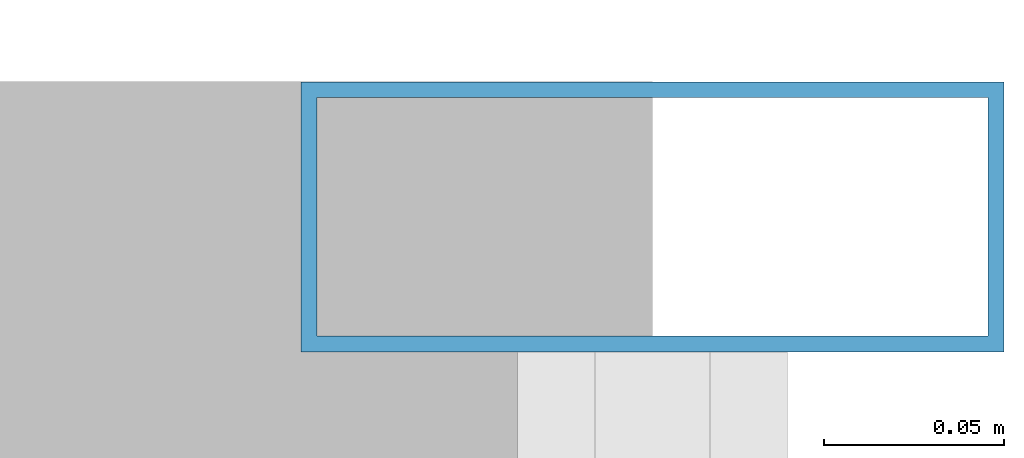
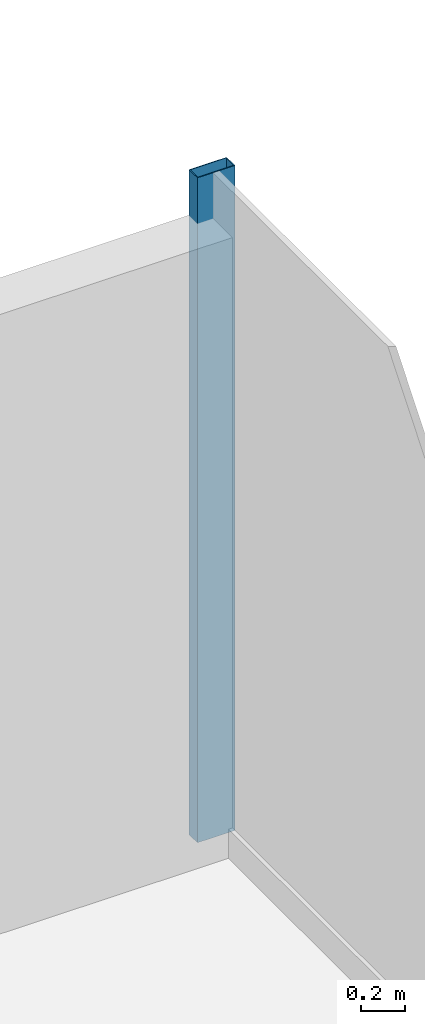
# One storey, part 18 of 25: 1 member, 1 element without a shape of its own.
"""IFC4 building model written with IfcOpenShell, lengths in metres."""

from ifc_helpers import new_model, si_unit, derived_unit, direction, frame, origin, origin_2d, place, context, subcontext, project, spatial, hollow_rectangle, extrude, source, transform, mapped, material, material_profile, profile_set, type_object, element, aggregate, save


model = new_model("IFC4")

# Units and contexts
model_context = context("Model", 3, precision=1e-05, world=origin(), true_north=direction((0.0, 1.0)))
body_context = subcontext(model_context, "Body", "Model", "MODEL_VIEW")
ifc_project = project(units=[si_unit("LENGTHUNIT", "METRE"), si_unit("AREAUNIT", "SQUARE_METRE"), si_unit("VOLUMEUNIT", "CUBIC_METRE"), si_unit("PLANEANGLEUNIT", "RADIAN"), si_unit("MASSUNIT", "GRAM", prefix="KILO"), derived_unit("THERMALTRANSMITTANCEUNIT", [(si_unit("POWERUNIT", "WATT"), 1), (si_unit("LENGTHUNIT", "METRE"), -2), (si_unit("THERMODYNAMICTEMPERATUREUNIT", "KELVIN"), -1)])], contexts=[model_context])

# Site, building, storey
site_placement = place(None, origin())
site = spatial("IfcSite", under=ifc_project, at=site_placement, CompositionType="ELEMENT")
building_placement = place(site_placement, origin())
building = spatial("IfcBuilding", under=site, at=building_placement, Name="Skarnbrae Concourse Arena and Tower", CompositionType="ELEMENT")
storey_placement = place(building_placement, frame((0.0, 0.0, 158.85009765625)))
storey = spatial("IfcBuildingStorey", under=building, at=storey_placement, Name="L40", CompositionType="ELEMENT", Elevation=158.85009765625)

# Curtain wall, member
ifc_material = material(Name="Bronze anodised aluminium 6063-T6", Category="aluminium")
curtain_wall_type = type_object("IfcCurtainWallType", Name="CW-SYS-04-MIDZONE", PredefinedType="USERDEFINED", material=ifc_material)
curtain_wall_placement = place(storey_placement, origin())
curtain_wall = element("IfcCurtainWall", 1, at=curtain_wall_placement, inside=storey, type_object=curtain_wall_type, Name="L40 Unitised curtain wall CW-L40-E04", ObjectType="UNITISED CURTAIN WALL", PredefinedType="USERDEFINED")
ifc_material_profile = material_profile(ifc_material, hollow_rectangle(XDim=0.074951171875, YDim=0.195068359375, WallThickness=0.00439453125, at=origin_2d()), Name="ALU-MULL-75X195")
ifc_profile_set = profile_set([ifc_material_profile], Name="Bronze anodised aluminium 6063-T6")
member_type = type_object("IfcMemberType", Name="CWM-CW-04", PredefinedType="MULLION", material=ifc_profile_set)
shared_shape = source(origin(), body_context, "Body", "SweptSolid", [
    extrude(hollow_rectangle(XDim=0.074951171875, YDim=0.195068359375, WallThickness=0.00439453125, at=origin_2d()), origin(), (0.0, 0.0, 1.0), 3.64990234375),
])
member_placement = place(storey_placement, frame((50.0, 32.96240234375, 0.0), z_axis=(0.0, 0.0, 1.0), x_axis=(0.0, 1.0, 0.0)))
member = element("IfcMember", 2, at=member_placement, type_object=member_type, Name="CW-L40-E04 Mullion 5", PredefinedType="MULLION", context=body_context, shape_type="MappedRepresentation", body=[
    mapped(shared_shape, transform((0.0, 0.0, 0.0))),
])
aggregate(curtain_wall, [member])

save(model, "model.ifc")
